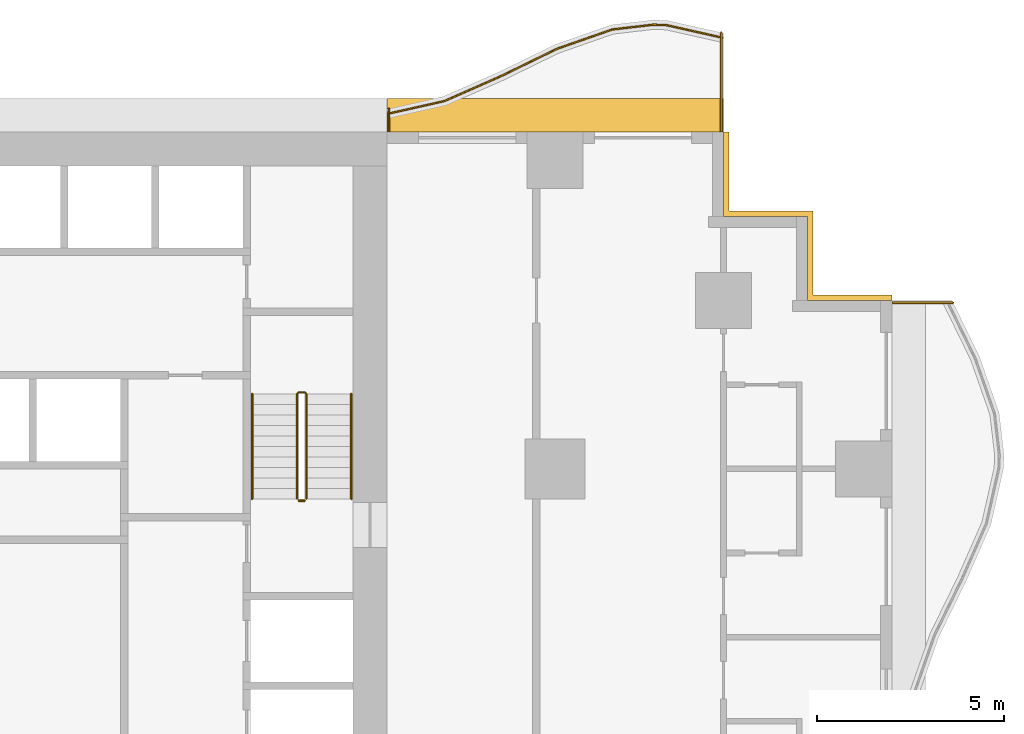
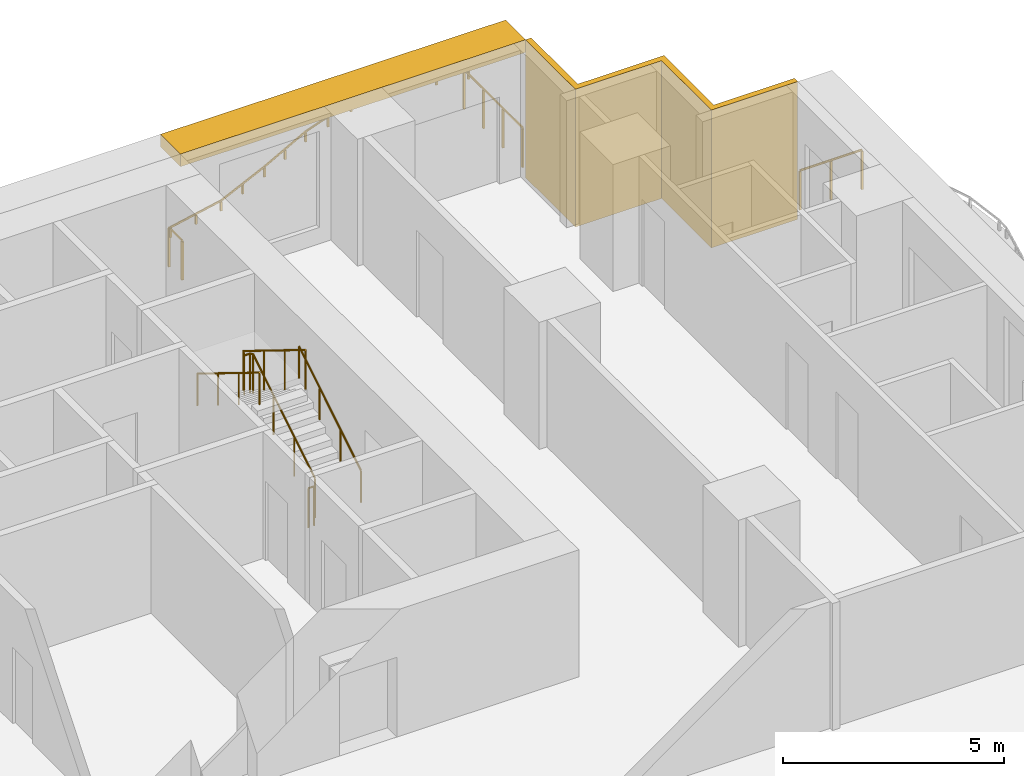
# One storey, part 14 of 14: 8 railings, 2 shading devices.
"""IFC4 building model written with IfcOpenShell, lengths in metres."""

from ifc_helpers import new_model, si_unit, direction, frame, origin, origin_2d, place, context, subcontext, project, spatial, polyline, rectangle, circle, outline, extrude, material, layer, layer_set, type_object, element, save


model = new_model("IFC4")

# Units and contexts
model_context = context("Model", 3, precision=1e-05, world=origin(), true_north=direction((0.0, 1.0)))
body_context = subcontext(model_context, "Body", "Model", "MODEL_VIEW")
ifc_project = project(units=[si_unit("LENGTHUNIT", "METRE"), si_unit("AREAUNIT", "SQUARE_METRE"), si_unit("VOLUMEUNIT", "CUBIC_METRE"), si_unit("PLANEANGLEUNIT", "RADIAN"), si_unit("MASSUNIT", "GRAM", prefix="KILO")], contexts=[model_context])

# Site, building, storey
site_placement = place(None, origin())
site = spatial("IfcSite", under=ifc_project, at=site_placement, CompositionType="ELEMENT")
building_placement = place(site_placement, origin())
building = spatial("IfcBuilding", under=site, at=building_placement, Name="Orbiselva Terraces", CompositionType="ELEMENT")
storey_placement = place(building_placement, frame((0.0, 0.0, 18.8)))
storey = spatial("IfcBuildingStorey", under=building, at=storey_placement, Name="L04", CompositionType="ELEMENT", Elevation=18.8)

# Railings
ifc_material_1 = material(Name="Stainless steel", Category="steel")
railing_type_1 = type_object("IfcRailingType", Name="CORE-GUARD-1100", PredefinedType="GUARDRAIL", material=ifc_material_1)
railing_1_placement = place(storey_placement, frame((11.35, 12.7, 0.172727)))
element("IfcRailing", 1, at=railing_1_placement, inside=storey, type_object=railing_type_1, Name="L04 S2 stair guard 1", PredefinedType="GUARDRAIL", context=body_context, shape_type="SweptSolid", body=[
    extrude(circle(Radius=0.024, at=origin_2d()), frame((0.0, 0.0, 1.081), z_axis=(0.0, 0.851088519012, 0.52502222125), x_axis=(-1.0, 0.0, 0.0)), (0.0, 0.0, 1.0), 3.289905),
    extrude(circle(Radius=0.024, at=origin_2d()), frame((0.0, 2.8, 2.808273), z_axis=(-0.707106781187, 0.707106781187, 0.0), x_axis=(-0.707106781187, -0.707106781187, 0.0)), (0.0, 0.0, 1.0), 0.070711),
    extrude(circle(Radius=0.024, at=origin_2d()), frame((-0.05, 2.85, 2.808273), z_axis=(-1.0, 0.0, 0.0), x_axis=(0.0, -1.0, 0.0)), (0.0, 0.0, 1.0), 0.15),
    extrude(circle(Radius=0.024, at=origin_2d()), frame((-0.2, 2.85, 2.808273), z_axis=(-0.267894925557, -0.267894925557, 0.925453736133), x_axis=(0.707106781187, -0.707106781187, 0.0)), (0.0, 0.0, 1.0), 0.18664),
    extrude(circle(Radius=0.024, at=origin_2d()), frame((-0.25, 2.8, 2.981), z_axis=(0.0, -0.851088519012, 0.52502222125), x_axis=(1.0, 0.0, 0.0)), (0.0, 0.0, 1.0), 3.289905),
    extrude(circle(Radius=0.021, at=origin_2d()), origin(), (0.0, 0.0, 1.0), 1.057),
    extrude(circle(Radius=0.021, at=origin_2d()), frame((0.0, 0.933333, 0.575758)), (0.0, 0.0, 1.0), 1.057),
    extrude(circle(Radius=0.021, at=origin_2d()), frame((0.0, 1.866667, 1.151515)), (0.0, 0.0, 1.0), 1.057),
    extrude(circle(Radius=0.021, at=origin_2d()), frame((0.0, 2.8, 1.727273)), (0.0, 0.0, 1.0), 1.057),
    extrude(circle(Radius=0.021, at=origin_2d()), frame((-0.05, 2.85, 1.727273)), (0.0, 0.0, 1.0), 1.057),
    extrude(circle(Radius=0.021, at=origin_2d()), frame((-0.2, 2.85, 1.727273)), (0.0, 0.0, 1.0), 1.057),
    extrude(circle(Radius=0.021, at=origin_2d()), frame((-0.25, 2.8, 1.9)), (0.0, 0.0, 1.0), 1.057),
    extrude(circle(Radius=0.021, at=origin_2d()), frame((-0.25, 1.866667, 2.475758)), (0.0, 0.0, 1.0), 1.057),
    extrude(circle(Radius=0.021, at=origin_2d()), frame((-0.25, 0.933333, 3.051515)), (0.0, 0.0, 1.0), 1.057),
    extrude(circle(Radius=0.021, at=origin_2d()), frame((-0.25, 0.0, 3.627273)), (0.0, 0.0, 1.0), 1.057),
])
railing_2_placement = place(storey_placement, frame((11.3, 12.65, 0.0)))
element("IfcRailing", 2, at=railing_2_placement, inside=storey, type_object=railing_type_1, Name="L04 S2 stair guard 2", PredefinedType="GUARDRAIL", context=body_context, shape_type="SweptSolid", body=[
    extrude(circle(Radius=0.024, at=origin_2d()), frame((0.0, 0.0, 1.081), z_axis=(-1.0, 0.0, 0.0), x_axis=(0.0, -1.0, 0.0)), (0.0, 0.0, 1.0), 0.15),
    extrude(circle(Radius=0.021, at=origin_2d()), origin(), (0.0, 0.0, 1.0), 1.057),
    extrude(circle(Radius=0.021, at=origin_2d()), frame((-0.15, 0.0, 0.0)), (0.0, 0.0, 1.0), 1.057),
])
railing_type_2 = type_object("IfcRailingType", Name="CORE-HANDRAIL-900", PredefinedType="HANDRAIL", material=ifc_material_1)
railing_3_placement = place(storey_placement, frame((12.55, 12.7, 0.172727)))
element("IfcRailing", 3, at=railing_3_placement, inside=storey, type_object=railing_type_2, Name="L04 S2 stair handrail 1", PredefinedType="HANDRAIL", context=body_context, shape_type="SweptSolid", body=[
    extrude(circle(Radius=0.024, at=origin_2d()), frame((0.0, 0.0, 0.876), z_axis=(0.0, 0.851088519012, 0.52502222125), x_axis=(-1.0, 0.0, 0.0)), (0.0, 0.0, 1.0), 3.289905),
    extrude(circle(Radius=0.021, at=origin_2d()), origin(), (0.0, 0.0, 1.0), 0.852),
    extrude(circle(Radius=0.021, at=origin_2d()), frame((0.0, 0.933333, 0.575758)), (0.0, 0.0, 1.0), 0.852),
    extrude(circle(Radius=0.021, at=origin_2d()), frame((0.0, 1.866667, 1.151515)), (0.0, 0.0, 1.0), 0.852),
    extrude(circle(Radius=0.021, at=origin_2d()), frame((0.0, 2.8, 1.727273)), (0.0, 0.0, 1.0), 0.852),
])
railing_4_placement = place(storey_placement, frame((9.9, 15.5, 2.072727)))
element("IfcRailing", 4, at=railing_4_placement, inside=storey, type_object=railing_type_2, Name="L04 S2 stair handrail 2", PredefinedType="HANDRAIL", context=body_context, shape_type="SweptSolid", body=[
    extrude(circle(Radius=0.024, at=origin_2d()), frame((0.0, 0.0, 0.876), z_axis=(0.0, -0.851088519012, 0.52502222125), x_axis=(1.0, 0.0, 0.0)), (0.0, 0.0, 1.0), 3.289905),
    extrude(circle(Radius=0.021, at=origin_2d()), origin(), (0.0, 0.0, 1.0), 0.852),
    extrude(circle(Radius=0.021, at=origin_2d()), frame((0.0, -0.933333, 0.575758)), (0.0, 0.0, 1.0), 0.852),
    extrude(circle(Radius=0.021, at=origin_2d()), frame((0.0, -1.866667, 1.151515)), (0.0, 0.0, 1.0), 0.852),
    extrude(circle(Radius=0.021, at=origin_2d()), frame((0.0, -2.8, 1.727273)), (0.0, 0.0, 1.0), 0.852),
])
ifc_material_2 = material(Name="Bonded two-ply safety glass balustrade, stainless steel posts", Category="steel")
railing_type_3 = type_object("IfcRailingType", Name="ENV-BALUSTRADE-1200", PredefinedType="BALUSTRADE", material=ifc_material_2)
railing_5_placement = place(storey_placement, frame((22.472623, 25.026563, 0.9)))
element("IfcRailing", 5, at=railing_5_placement, inside=storey, type_object=railing_type_3, Name="Balcony balustrade L04 NE", PredefinedType="BALUSTRADE", context=body_context, shape_type="SweptSolid", body=[
    extrude(outline(polyline([(0.028868, 0.0), (0.014434, 0.025), (-0.014434, 0.025), (-0.028868, 0.0), (-0.014434, -0.025), (0.014434, -0.025), (0.028868, 0.0)])), frame((0.0, 0.0, 0.275), z_axis=(-0.975721322437, 0.21901575501, 0.0), x_axis=(-0.21901575501, -0.975721322437, 0.0)), (0.0, 0.0, 1.0), 1.525954),
    extrude(outline(polyline([(0.028868, 0.0), (0.014434, 0.025), (-0.014434, 0.025), (-0.028868, 0.0), (-0.014434, -0.025), (0.014434, -0.025), (0.028868, 0.0)])), frame((-1.488906, 0.334208, 0.275), z_axis=(-0.999224931454, 0.039364150694, 0.0), x_axis=(-0.039364150694, -0.999224931454, 0.0)), (0.0, 0.0, 1.0), 0.354206),
    extrude(outline(polyline([(0.028868, 0.0), (0.014434, 0.025), (-0.014434, 0.025), (-0.028868, 0.0), (-0.014434, -0.025), (0.014434, -0.025), (0.028868, 0.0)])), frame((-1.842837, 0.348151, 0.275), z_axis=(-0.993309658409, -0.115481264762, 0.0), x_axis=(0.115481264762, -0.993309658409, 0.0)), (0.0, 0.0, 1.0), 1.10902),
    extrude(outline(polyline([(0.028868, 0.0), (0.014434, 0.025), (-0.014434, 0.025), (-0.028868, 0.0), (-0.014434, -0.025), (0.014434, -0.025), (0.028868, 0.0)])), frame((-2.944437, 0.22008, 0.275), z_axis=(-0.943972277814, -0.330024754707, 0.0), x_axis=(0.330024754707, -0.943972277814, 0.0)), (0.0, 0.0, 1.0), 1.567807),
    extrude(outline(polyline([(0.028868, 0.0), (0.014434, 0.025), (-0.014434, 0.025), (-0.028868, 0.0), (-0.014434, -0.025), (0.014434, -0.025), (0.028868, 0.0)])), frame((-4.424403, -0.297335, 0.275), z_axis=(-0.89857890432, -0.438811978768, 0.0), x_axis=(0.438811978768, -0.89857890432, 0.0)), (0.0, 0.0, 1.0), 1.66438),
    extrude(outline(polyline([(0.028868, 0.0), (0.014434, 0.025), (-0.014434, 0.025), (-0.028868, 0.0), (-0.014434, -0.025), (0.014434, -0.025), (0.028868, 0.0)])), frame((-5.91998, -1.027685, 0.275), z_axis=(-0.915133527237, -0.403150874148, 0.0), x_axis=(0.403150874148, -0.915133527237, 0.0)), (0.0, 0.0, 1.0), 1.653736),
    extrude(outline(polyline([(0.028868, 0.0), (0.014434, 0.025), (-0.014434, 0.025), (-0.028868, 0.0), (-0.014434, -0.025), (0.014434, -0.025), (0.028868, 0.0)])), frame((-7.433369, -1.69439, 0.275), z_axis=(-0.975721349543, -0.219015634252, 0.0), x_axis=(0.219015634252, -0.975721349543, 0.0)), (0.0, 0.0, 1.0), 1.549497),
    extrude(rectangle(XDim=0.05, YDim=0.05, at=origin_2d()), origin(), (0.0, 0.0, 1.0), 0.25),
    extrude(rectangle(XDim=0.05, YDim=0.05, at=origin_2d()), frame((-0.744453, 0.167104, 0.0)), (0.0, 0.0, 1.0), 0.25),
    extrude(rectangle(XDim=0.05, YDim=0.05, at=origin_2d()), frame((-1.488906, 0.334208, 0.0)), (0.0, 0.0, 1.0), 0.25),
    extrude(rectangle(XDim=0.05, YDim=0.05, at=origin_2d()), frame((-1.842837, 0.348151, 0.0)), (0.0, 0.0, 1.0), 0.25),
    extrude(rectangle(XDim=0.05, YDim=0.05, at=origin_2d()), frame((-2.944437, 0.22008, 0.0)), (0.0, 0.0, 1.0), 0.25),
    extrude(rectangle(XDim=0.05, YDim=0.05, at=origin_2d()), frame((-3.68442, -0.038628, 0.0)), (0.0, 0.0, 1.0), 0.25),
    extrude(rectangle(XDim=0.05, YDim=0.05, at=origin_2d()), frame((-4.424403, -0.297335, 0.0)), (0.0, 0.0, 1.0), 0.25),
    extrude(rectangle(XDim=0.05, YDim=0.05, at=origin_2d()), frame((-5.172191, -0.66251, 0.0)), (0.0, 0.0, 1.0), 0.25),
    extrude(rectangle(XDim=0.05, YDim=0.05, at=origin_2d()), frame((-5.91998, -1.027685, 0.0)), (0.0, 0.0, 1.0), 0.25),
    extrude(rectangle(XDim=0.05, YDim=0.05, at=origin_2d()), frame((-6.676674, -1.361037, 0.0)), (0.0, 0.0, 1.0), 0.25),
    extrude(rectangle(XDim=0.05, YDim=0.05, at=origin_2d()), frame((-7.433369, -1.69439, 0.0)), (0.0, 0.0, 1.0), 0.25),
    extrude(rectangle(XDim=0.05, YDim=0.05, at=origin_2d()), frame((-8.189307, -1.864072, 0.0)), (0.0, 0.0, 1.0), 0.25),
    extrude(rectangle(XDim=0.05, YDim=0.05, at=origin_2d()), frame((-8.945246, -2.033754, 0.0)), (0.0, 0.0, 1.0), 0.25),
])
ifc_material_3 = material(Name="Stainless steel rail and posts", Category="steel")
railing_type_4 = type_object("IfcRailingType", Name="ENV-GUARD-1105", PredefinedType="BALUSTRADE", material=ifc_material_3)
railing_6_placement = place(storey_placement, frame((28.642123, 17.94, 0.0)))
element("IfcRailing", 6, at=railing_6_placement, inside=storey, type_object=railing_type_4, Name="Balcony end guard L04 E", PredefinedType="BALUSTRADE", context=body_context, shape_type="SweptSolid", body=[
    extrude(outline(polyline([(0.028868, 0.0), (0.014434, 0.025), (-0.014434, 0.025), (-0.028868, 0.0), (-0.014434, -0.025), (0.014434, -0.025), (0.028868, 0.0)])), frame((0.0, 0.0, 1.08), z_axis=(-1.0, 0.0, 0.0), x_axis=(0.0, -1.0, 0.0)), (0.0, 0.0, 1.0), 1.617123),
    extrude(rectangle(XDim=0.05, YDim=0.05, at=origin_2d()), origin(), (0.0, 0.0, 1.0), 1.055),
    extrude(rectangle(XDim=0.05, YDim=0.05, at=origin_2d()), frame((-0.808562, 0.0, 0.0)), (0.0, 0.0, 1.0), 1.055),
    extrude(rectangle(XDim=0.05, YDim=0.05, at=origin_2d()), frame((-1.617123, 0.0, 0.0)), (0.0, 0.0, 1.0), 1.055),
])
railing_7_placement = place(storey_placement, frame((22.44, 25.169584, 0.0)))
element("IfcRailing", 7, at=railing_7_placement, inside=storey, type_object=railing_type_4, Name="Balcony end guard L04 NE", PredefinedType="BALUSTRADE", context=body_context, shape_type="SweptSolid", body=[
    extrude(outline(polyline([(0.028868, 0.0), (0.014434, 0.025), (-0.014434, 0.025), (-0.028868, 0.0), (-0.014434, -0.025), (0.014434, -0.025), (0.028868, 0.0)])), frame((0.0, 0.0, 1.08), z_axis=(0.0, -1.0, 0.0), x_axis=(1.0, 0.0, 0.0)), (0.0, 0.0, 1.0), 2.644584),
    extrude(rectangle(XDim=0.05, YDim=0.05, at=origin_2d()), origin(), (0.0, 0.0, 1.0), 1.055),
    extrude(rectangle(XDim=0.05, YDim=0.05, at=origin_2d()), frame((0.0, -0.881528, 0.0)), (0.0, 0.0, 1.0), 1.055),
    extrude(rectangle(XDim=0.05, YDim=0.05, at=origin_2d()), frame((0.0, -1.763056, 0.0)), (0.0, 0.0, 1.0), 1.055),
    extrude(rectangle(XDim=0.05, YDim=0.05, at=origin_2d()), frame((0.0, -2.644584, 0.0)), (0.0, 0.0, 1.0), 1.055),
])
railing_8_placement = place(storey_placement, frame((13.56, 23.119866, 0.0)))
element("IfcRailing", 8, at=railing_8_placement, inside=storey, type_object=railing_type_4, Name="Balcony end guard L04 NE", PredefinedType="BALUSTRADE", context=body_context, shape_type="SweptSolid", body=[
    extrude(outline(polyline([(0.028868, 0.0), (0.014434, 0.025), (-0.014434, 0.025), (-0.028868, 0.0), (-0.014434, -0.025), (0.014434, -0.025), (0.028868, 0.0)])), frame((0.0, 0.0, 1.08), z_axis=(0.0, -1.0, 0.0), x_axis=(1.0, 0.0, 0.0)), (0.0, 0.0, 1.0), 0.594866),
    extrude(rectangle(XDim=0.05, YDim=0.05, at=origin_2d()), origin(), (0.0, 0.0, 1.0), 1.055),
    extrude(rectangle(XDim=0.05, YDim=0.05, at=origin_2d()), frame((0.0, -0.594866, 0.0)), (0.0, 0.0, 1.0), 1.055),
])

# Shading devices
ifc_material_4 = material(Name="Terracotta louvre screen", Category="masonry")
ifc_layer_1 = layer(ifc_material_4, 0.15)
ifc_layer_set_1 = layer_set([ifc_layer_1], Name="Terracotta louvre screen")
shading_device_type_1 = type_object("IfcShadingDeviceType", Name="ENV-SCREEN-150", PredefinedType="USERDEFINED", material=ifc_layer_set_1)
shading_device_1_placement = place(storey_placement, frame((0.0, 0.0, -0.3)))
element("IfcShadingDevice", 9, at=shading_device_1_placement, inside=storey, type_object=shading_device_type_1, Name="Louvre screen L04 NE", ObjectType="SCREEN", PredefinedType="USERDEFINED", context=body_context, shape_type="SweptSolid", body=[
    extrude(outline(polyline([(27.0, 18.15), (24.9, 18.15), (24.9, 20.4), (22.65, 20.4), (22.65, 22.5), (22.5, 22.5), (22.5, 20.25), (24.75, 20.25), (24.75, 18.0), (27.0, 18.0), (27.0, 18.15)])), origin(), (0.0, 0.0, 1.0), 3.8),
])
ifc_material_5 = material(Name="Terracotta baguette sunshade", Category="masonry")
ifc_layer_2 = layer(ifc_material_5, 0.35)
ifc_layer_set_2 = layer_set([ifc_layer_2], Name="Terracotta baguette sunshade")
shading_device_type_2 = type_object("IfcShadingDeviceType", Name="ENV-SUNSHADE-900x350", PredefinedType="USERDEFINED", material=ifc_layer_set_2)
shading_device_2_placement = place(storey_placement, frame((0.0, 0.0, 3.15)))
element("IfcShadingDevice", 10, at=shading_device_2_placement, inside=storey, type_object=shading_device_type_2, Name="Sunshade band L04 NE", ObjectType="SUNSHADE", PredefinedType="USERDEFINED", context=body_context, shape_type="SweptSolid", body=[
    extrude(outline(polyline([(22.5, 23.4), (13.5, 23.4), (13.5, 22.5), (22.5, 22.5), (22.5, 23.4)])), origin(), (0.0, 0.0, 1.0), 0.35),
])

save(model, "model.ifc")
